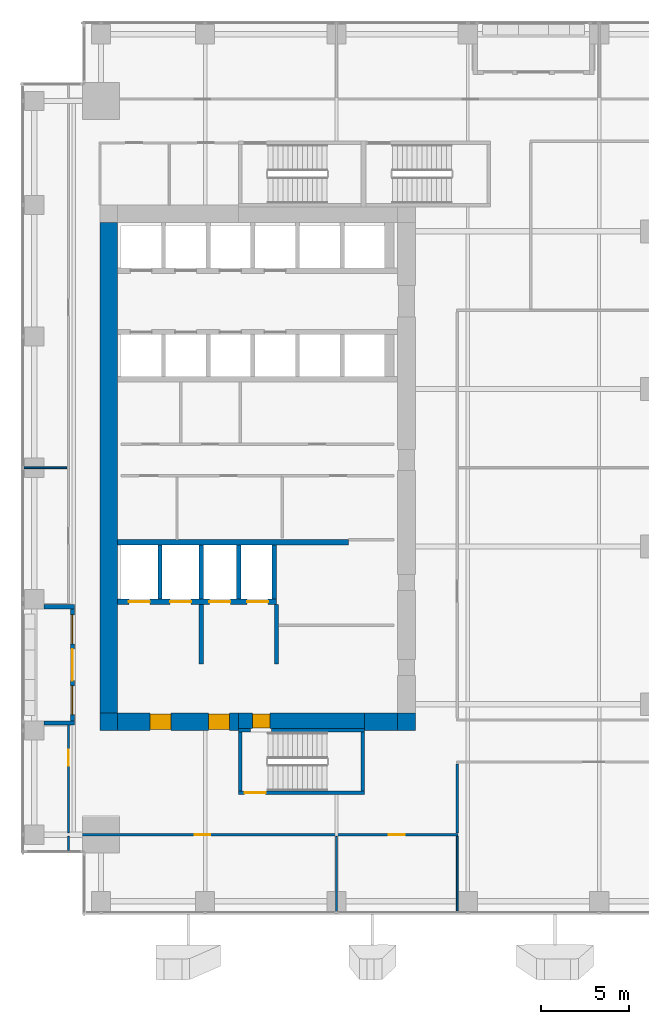
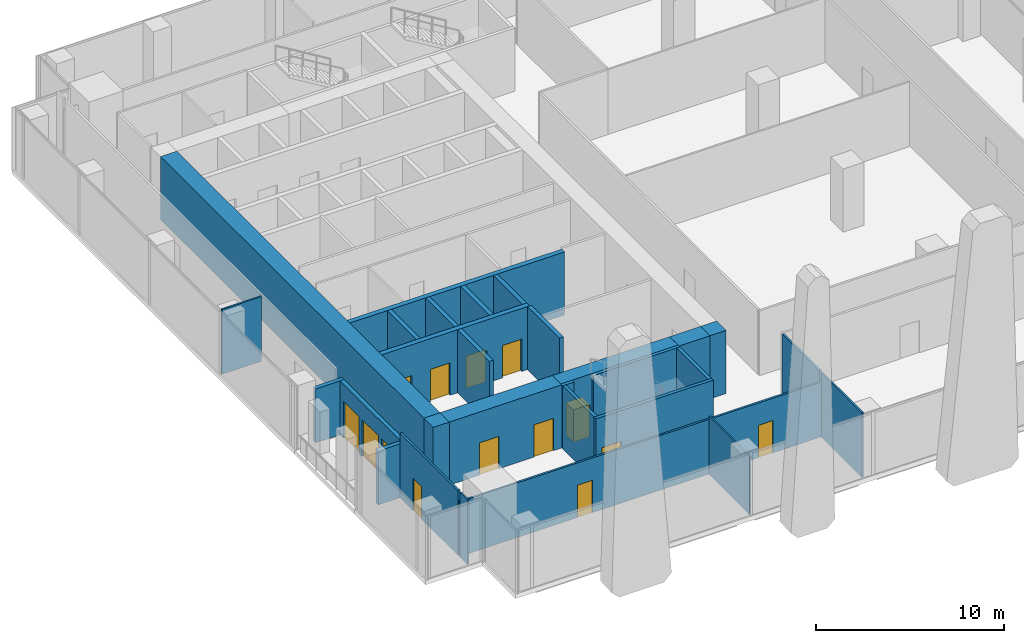
# One storey, part 28 of 35: 29 walls, 12 doors, 2 windows, 14 openings.
"""IFC4 building model written with IfcOpenShell, lengths in metres."""

import ifcopenshell
import ifcopenshell.guid

model = None  # the IFC model being written
_history = None  # IfcOwnerHistory: only IFC2X3 demands one
_inside = {}  # id of a spatial element -> (the spatial element, [elements in it])
_under = {}  # id of a project, library or spatial element -> (it, [spatial elements below it])
_declared = {}  # id of a project -> (the project, [libraries it declares])
_typed = {}  # id of a type object -> (the type object, [elements of that type])
_made_of = {}  # id of a material, layer set ... -> (it, [elements and type objects made of it])


def new_model(schema):
    """Start an empty IFC model of exactly this schema.

    Asked for "IFC4X3", IfcOpenShell would pick the latest addendum, in which some entities
    have other attributes; the version numbers below select the first issue.
    IFC2X3 requires an IfcOwnerHistory on every rooted entity: one is made here for all.
    """
    global model, _history
    if schema == "IFC4X3":
        model = ifcopenshell.file(schema_version=(4, 3, 0, 0))
    else:
        model = ifcopenshell.file(schema=schema)
    _inside.clear()
    _under.clear()
    _declared.clear()
    _typed.clear()
    _made_of.clear()
    _history = None
    if model.schema == "IFC2X3":
        org = make("IfcOrganization", Name="unknown")
        user = make(
            "IfcPersonAndOrganization",
            ThePerson=make("IfcPerson", FamilyName="unknown"),
            TheOrganization=org,
        )
        app = make(
            "IfcApplication",
            ApplicationDeveloper=org,
            Version="unknown",
            ApplicationFullName="unknown",
            ApplicationIdentifier="unknown",
        )
        _history = make(
            "IfcOwnerHistory",
            OwningUser=user,
            OwningApplication=app,
            ChangeAction="ADDED",
            CreationDate=0,
        )
    return model


def make(cls, **values):
    """One entity of the class cls with the attributes given. An attribute that is None is left unset."""
    return model.create_entity(
        cls, **{name: value for name, value in values.items() if value is not None}
    )


def rooted(cls, **values):
    """An entity with a GlobalId (a new one), such as an element, a storey or a relation."""
    return make(cls, GlobalId=ifcopenshell.guid.new(), OwnerHistory=_history, **values)


def si_unit(unit_type, name, prefix=None):
    """IfcSIUnit, for example si_unit("LENGTHUNIT", "METRE", prefix="MILLI")."""
    return make("IfcSIUnit", UnitType=unit_type, Prefix=prefix, Name=name)


def assignment(units):
    """IfcUnitAssignment: the units of a project."""
    return None if units is None else make("IfcUnitAssignment", Units=units)


def point(xyz):
    """IfcCartesianPoint."""
    return None if xyz is None else make("IfcCartesianPoint", Coordinates=xyz)


def direction(xyz):
    """IfcDirection."""
    return None if xyz is None else make("IfcDirection", DirectionRatios=xyz)


def frame(location, z_axis=None, x_axis=None):
    """IfcAxis2Placement3D, a coordinate frame: its origin and axes. An axis left out is left unset."""
    return make(
        "IfcAxis2Placement3D",
        Location=point(location),
        Axis=direction(z_axis),
        RefDirection=direction(x_axis),
    )


def frame_2d(location, x_axis=None):
    """IfcAxis2Placement2D, a coordinate frame in the plane: its origin and x axis."""
    return make(
        "IfcAxis2Placement2D", Location=point(location), RefDirection=direction(x_axis)
    )


def origin():
    """The frame at (0, 0, 0) with its axes left unset."""
    return frame((0.0, 0.0, 0.0))


def place(relative_to, where):
    """IfcLocalPlacement: puts the frame where relative to a parent placement (None: the world)."""
    return make(
        "IfcLocalPlacement", PlacementRelTo=relative_to, RelativePlacement=where
    )


def context(
    kind, dimensions, precision=None, world=None, true_north=None, identifier=None
):
    """IfcGeometricRepresentationContext, for example the 3D "Model" context."""
    return make(
        "IfcGeometricRepresentationContext",
        ContextIdentifier=identifier,
        ContextType=kind,
        CoordinateSpaceDimension=dimensions,
        Precision=precision,
        WorldCoordinateSystem=world,
        TrueNorth=true_north,
    )


def subcontext(parent, identifier, kind, view, scale=None):
    """IfcGeometricRepresentationSubContext, for example "Body" below "Model"."""
    return make(
        "IfcGeometricRepresentationSubContext",
        ContextIdentifier=identifier,
        ContextType=kind,
        ParentContext=parent,
        TargetScale=scale,
        TargetView=view,
    )


def project(units=None, contexts=None):
    """IfcProject with its units and contexts."""
    return rooted(
        "IfcProject",
        Name="project",
        RepresentationContexts=contexts,
        UnitsInContext=assignment(units),
    )


def spatial(cls, under=None, at=None, **own):
    """A site, building, storey or space (cls), placed at a placement, below another one or the project."""
    s = rooted(cls, ObjectPlacement=at, **own)
    if under is not None:
        _under.setdefault(under.id(), (under, []))[1].append(s)
    return s


def profile(cls, at=None, kind="AREA", **sizes):
    """A parametric profile (cls). Its sizes go by their IFC names, for example OverallWidth=200.0."""
    return make(cls, ProfileType=kind, Position=at, **sizes)


def rectangle(**sizes):
    """IfcRectangleProfileDef."""
    return profile("IfcRectangleProfileDef", **sizes)


def extrude(swept, where, along, depth):
    """IfcExtrudedAreaSolid: the profile swept, set in the frame where, extruded along a direction by depth."""
    return make(
        "IfcExtrudedAreaSolid",
        SweptArea=swept,
        Position=where,
        ExtrudedDirection=direction(along),
        Depth=depth,
    )


def shape(context_of_items, identifier, shape_type, items):
    """IfcShapeRepresentation: the items that make up one representation, for example the "Body"."""
    return make(
        "IfcShapeRepresentation",
        ContextOfItems=context_of_items,
        RepresentationIdentifier=identifier,
        RepresentationType=shape_type,
        Items=items,
    )


def source(mapping_origin, context_of_items, identifier, shape_type, items):
    """IfcRepresentationMap: a shape defined once, which mapped items show again and again."""
    return make(
        "IfcRepresentationMap",
        MappingOrigin=mapping_origin,
        MappedRepresentation=shape(context_of_items, identifier, shape_type, items),
    )


def transform(
    local_origin,
    x_axis=None,
    y_axis=None,
    z_axis=None,
    scale=None,
    scale2=None,
    scale3=None,
    uniform=True,
):
    """IfcCartesianTransformationOperator3D, or its non-uniform kind. x_axis, y_axis, z_axis: its Axis1, 2, 3."""
    if uniform:
        return make(
            "IfcCartesianTransformationOperator3D",
            Axis1=direction(x_axis),
            Axis2=direction(y_axis),
            LocalOrigin=point(local_origin),
            Scale=scale,
            Axis3=direction(z_axis),
        )
    return make(
        "IfcCartesianTransformationOperator3DnonUniform",
        Axis1=direction(x_axis),
        Axis2=direction(y_axis),
        LocalOrigin=point(local_origin),
        Scale=scale,
        Axis3=direction(z_axis),
        Scale2=scale2,
        Scale3=scale3,
    )


def mapped(mapping_source, mapping_target):
    """IfcMappedItem: shows the shape of a source again, moved by a transform."""
    return make(
        "IfcMappedItem", MappingSource=mapping_source, MappingTarget=mapping_target
    )


def material(Name=None, Category=None):
    """IfcMaterial."""
    return make("IfcMaterial", Name=Name, Category=Category)


def layer(
    of_material, thickness, ventilated=None, Name=None, Category=None, Priority=None
):
    """IfcMaterialLayer: one layer of a wall or slab, of a material (None: an air gap)."""
    return make(
        "IfcMaterialLayer",
        Material=of_material,
        LayerThickness=thickness,
        IsVentilated=ventilated,
        Name=Name,
        Category=Category,
        Priority=Priority,
    )


def layer_set(layers, Name=None):
    """IfcMaterialLayerSet."""
    return make("IfcMaterialLayerSet", MaterialLayers=layers, LayerSetName=Name)


def made_of(thing, what):
    """Note that an element or type object is made of a material, layer set ...; save() writes the relation."""
    if what is not None:
        _made_of.setdefault(what.id(), (what, []))[1].append(thing)
    return thing


def type_object(cls, material=None, **own):
    """A type object (cls), such as IfcWallType, which elements share."""
    return made_of(rooted(cls, **own), material)


def element(
    cls,
    number,
    at=None,
    inside=None,
    cuts=None,
    type_object=None,
    material=None,
    context=None,
    identifier="Body",
    shape_type=None,
    held_by="IfcProductDefinitionShape",
    body=None,
    shapes=None,
    **own,
):
    """One element of the class cls, such as IfcWall. Its Tag is "e" and its number.

    at: its placement. inside: the storey or other place that contains it. cuts: it is an
    opening in that element (IfcRelVoidsElement). A single representation is given by context,
    identifier, shape_type and body (its items); several are given by shapes. held_by: the class
    of the entity that holds the representations. save() writes the other relations.
    """
    e = rooted(cls, Tag="e%d" % number, ObjectPlacement=at, **own)
    if body is not None:
        shapes = [shape(context, identifier, shape_type, body)]
    if shapes is not None:
        e.Representation = make(held_by, Representations=shapes)
    if inside is not None:
        _inside.setdefault(inside.id(), (inside, []))[1].append(e)
    if cuts is not None:
        rooted(
            "IfcRelVoidsElement", RelatingBuildingElement=cuts, RelatedOpeningElement=e
        )
    if type_object is not None:
        _typed.setdefault(type_object.id(), (type_object, []))[1].append(e)
    return made_of(e, material)


def fill(opening, filler):
    """IfcRelFillsElement: the door or window that sits in an opening."""
    return rooted(
        "IfcRelFillsElement",
        RelatingOpeningElement=opening,
        RelatedBuildingElement=filler,
    )


def aggregate(whole, parts):
    """IfcRelAggregates: a whole, such as a stair, and the parts it consists of."""
    return rooted("IfcRelAggregates", RelatingObject=whole, RelatedObjects=parts)


def save(model, path):
    """Write the relations noted so far, then the file.

    IfcRelAggregates (storeys below a building ...), IfcRelContainedInSpatialStructure (elements
    in a storey), IfcRelDefinesByType, IfcRelAssociatesMaterial and IfcRelDeclares: one each for
    every whole, place, type object, material and project.
    """
    for whole, parts in _under.values():
        aggregate(whole, parts)
    for where, things in _inside.values():
        rooted(
            "IfcRelContainedInSpatialStructure",
            RelatedElements=things,
            RelatingStructure=where,
        )
    for kind, things in _typed.values():
        rooted("IfcRelDefinesByType", RelatedObjects=things, RelatingType=kind)
    for what, things in _made_of.values():
        rooted("IfcRelAssociatesMaterial", RelatedObjects=things, RelatingMaterial=what)
    for by, libraries in _declared.values():
        rooted("IfcRelDeclares", RelatingContext=by, RelatedDefinitions=libraries)
    model.write(path)


model = new_model("IFC4")

# Units and contexts
model_context = context("Model", 3, precision=1e-05, world=origin(), true_north=direction((0.0, 1.0)))
body_context = subcontext(model_context, "Body", "Model", "MODEL_VIEW")
ifc_project = project(units=[si_unit("LENGTHUNIT", "METRE"), si_unit("AREAUNIT", "SQUARE_METRE"), si_unit("VOLUMEUNIT", "CUBIC_METRE"), si_unit("PLANEANGLEUNIT", "RADIAN"), si_unit("MASSUNIT", "GRAM", prefix="KILO")], contexts=[model_context])

# Site, building, storey
site_placement = place(None, origin())
site = spatial("IfcSite", under=ifc_project, at=site_placement, CompositionType="ELEMENT")
building_placement = place(site_placement, origin())
building = spatial("IfcBuilding", under=site, at=building_placement, Name="Khomas Fold Tower", CompositionType="ELEMENT")
storey_placement = place(building_placement, frame((0.0, 0.0, 119.10009765625)))
storey = spatial("IfcBuildingStorey", under=building, at=storey_placement, Name="L25", CompositionType="ELEMENT", Elevation=119.10009765625)

# Wall, openings, doors
ifc_material_1 = material(Name="Concrete C70/85", Category="concrete")
ifc_layer_1 = layer(ifc_material_1, 1.0)
ifc_layer_set_1 = layer_set([ifc_layer_1], Name="Concrete C70/85")
wall_type_1 = type_object("IfcWallType", Name="Core wall 1000", PredefinedType="SHEAR", material=ifc_layer_set_1)
shared_shape_1 = source(origin(), body_context, "Body", "SweptSolid", [
    extrude(rectangle(XDim=6.89990234375, YDim=1.0, at=frame_2d((3.449951171875, 0.0))), origin(), (0.0, 0.0, 1.0), 4.099853515625),
])
wall_1_placement = place(storey_placement, frame((7.0, 12.5, 0.0), z_axis=(0.0, 0.0, 1.0), x_axis=(1.0, 0.0, 0.0)))
wall_1 = element("IfcWall", 1, at=wall_1_placement, inside=storey, type_object=wall_type_1, Name="Core wall CW-L-S-L21", PredefinedType="SHEAR", context=body_context, shape_type="MappedRepresentation", body=[
    mapped(shared_shape_1, transform((0.0, 0.0, 0.0))),
])
shared_shape_2 = source(origin(), body_context, "Body", "SweptSolid", [
    extrude(rectangle(XDim=1.199951171875, YDim=2.10009765625, at=frame_2d((0.60009765625, 1.050048828125))), frame((0.0, 0.510009765625, 0.0), z_axis=(0.0, -1.0, 0.0), x_axis=(1.0, 0.0, 0.0)), (0.0, 0.0, 1.0), 1.02001953125),
])
opening_1_placement = place(wall_1_placement, frame((5.199951171875, 0.0, 0.0)))
opening_1 = element("IfcOpeningElement", 2, at=opening_1_placement, cuts=wall_1, Name="Opening 0009", PredefinedType="OPENING", context=body_context, shape_type="MappedRepresentation", body=[
    mapped(shared_shape_2, transform((0.0, 0.0, 0.0))),
])
opening_2_placement = place(wall_1_placement, frame((1.85009765625, 0.0, 0.0)))
opening_2 = element("IfcOpeningElement", 3, at=opening_2_placement, cuts=wall_1, Name="Opening 0009", PredefinedType="OPENING", context=body_context, shape_type="MappedRepresentation", body=[
    mapped(shared_shape_2, transform((0.0, 0.0, 0.0))),
])
ifc_material_2 = material(Name="Steel door leaf", Category="steel")
door_type_1 = type_object("IfcDoorType", Name="Lobby door 1200x2100 right-hand", OperationType="SINGLE_SWING_RIGHT", PredefinedType="DOOR", material=ifc_material_2)
shared_shape_3 = source(origin(), body_context, "Body", "SweptSolid", [
    extrude(rectangle(XDim=1.199951171875, YDim=2.10009765625, at=frame_2d((0.60009765625, 1.050048828125))), frame((0.0, 0.449951171875, 0.0), z_axis=(0.0, -1.0, 0.0), x_axis=(1.0, 0.0, 0.0)), (0.0, 0.0, 1.0), 0.89990234375),
])
door_1_placement = place(opening_1_placement, origin())
door_1 = element("IfcDoor", 4, at=door_1_placement, inside=storey, type_object=door_type_1, Name="Lobby door", OperationType="SINGLE_SWING_RIGHT", OverallHeight=2.10009765625, OverallWidth=1.199951171875, PredefinedType="DOOR", context=body_context, shape_type="MappedRepresentation", body=[
    mapped(shared_shape_3, transform((0.0, 0.0, 0.0))),
])
fill(opening_1, door_1)
door_2_placement = place(opening_2_placement, origin())
door_2 = element("IfcDoor", 5, at=door_2_placement, inside=storey, type_object=door_type_1, Name="Lobby door", OperationType="SINGLE_SWING_RIGHT", OverallHeight=2.10009765625, OverallWidth=1.199951171875, PredefinedType="DOOR", context=body_context, shape_type="MappedRepresentation", body=[
    mapped(shared_shape_3, transform((0.0, 0.0, 0.0))),
])
fill(opening_2, door_2)

# Walls
ifc_material_3 = material(Name="Concrete C70/85", Category="concrete")
ifc_layer_2 = layer(ifc_material_3, 1.0)
ifc_layer_set_2 = layer_set([ifc_layer_2], Name="Concrete C70/85")
wall_type_2 = type_object("IfcWallType", Name="Core corner wall 1000", PredefinedType="SHEAR", material=ifc_layer_set_2)
shared_shape_4 = source(origin(), body_context, "Body", "SweptSolid", [
    extrude(rectangle(XDim=1.0, YDim=1.0, at=frame_2d((0.5, 0.0))), origin(), (0.0, 0.0, 1.0), 4.099853515625),
])
for number, where, z_axis, x_axis, name in (
    (6, (23.0, 12.5, 0.0), (0.0, 0.0, 1.0), (1.0, 0.0, 0.0), "Core wall CW-L-SE-L21"),
    (7, (6.0, 12.5, 0.0), (0.0, 0.0, 1.0), (1.0, 0.0, 0.0), "Core wall CW-L-SW-L21"),
):
    element("IfcWall", number, at=place(storey_placement, frame(where, z_axis=z_axis, x_axis=x_axis)), inside=storey, type_object=wall_type_2, Name=name, PredefinedType="SHEAR", context=body_context, shape_type="MappedRepresentation", body=[
        mapped(shared_shape_4, transform((0.0, 0.0, 0.0))),
    ])

# Wall, opening, door
ifc_material_4 = material(Name="Concrete C70/85", Category="concrete")
ifc_layer_3 = layer(ifc_material_4, 0.89990234375)
ifc_layer_set_3 = layer_set([ifc_layer_3], Name="Concrete C70/85")
wall_type_3 = type_object("IfcWallType", Name="Core wall 900", PredefinedType="SHEAR", material=ifc_layer_set_3)
shared_shape_5 = source(origin(), body_context, "Body", "SweptSolid", [
    extrude(rectangle(XDim=7.2001953125, YDim=0.89990234375, at=frame_2d((3.60009765625, 0.0))), origin(), (0.0, 0.0, 1.0), 4.099853515625),
])
wall_2_placement = place(storey_placement, frame((13.89990234375, 12.550048828125, 0.0), z_axis=(0.0, 0.0, 1.0), x_axis=(1.0, 0.0, 0.0)))
wall_2 = element("IfcWall", 8, at=wall_2_placement, inside=storey, type_object=wall_type_3, Name="Core wall CW-L-S-L21-1", PredefinedType="SHEAR", context=body_context, shape_type="MappedRepresentation", body=[
    mapped(shared_shape_5, transform((0.0, 0.0, 0.0))),
])
shared_shape_6 = source(origin(), body_context, "Body", "SweptSolid", [
    extrude(rectangle(XDim=1.0, YDim=2.10009765625, at=frame_2d((0.5, 1.050048828125))), frame((0.0, 0.4599609375, 0.0), z_axis=(0.0, -1.0, 0.0), x_axis=(1.0, 0.0, 0.0)), (0.0, 0.0, 1.0), 0.919921875),
])
opening_3_placement = place(wall_2_placement, frame((0.800048828125, 0.0, 0.0)))
opening_3 = element("IfcOpeningElement", 9, at=opening_3_placement, cuts=wall_2, Name="Opening 0010", PredefinedType="OPENING", context=body_context, shape_type="MappedRepresentation", body=[
    mapped(shared_shape_6, transform((0.0, 0.0, 0.0))),
])
ifc_material_5 = material(Name="Steel door leaf", Category="steel")
door_type_2 = type_object("IfcDoorType", Name="Stair door 1000x2100 right-hand", OperationType="SINGLE_SWING_RIGHT", PredefinedType="DOOR", material=ifc_material_5)
shared_shape_7 = source(origin(), body_context, "Body", "SweptSolid", [
    extrude(rectangle(XDim=1.0, YDim=2.10009765625, at=frame_2d((0.5, 1.050048828125))), frame((0.0, 0.39990234375, 0.0), z_axis=(0.0, -1.0, 0.0), x_axis=(1.0, 0.0, 0.0)), (0.0, 0.0, 1.0), 0.7998046875),
])
door_3_placement = place(opening_3_placement, origin())
door_3 = element("IfcDoor", 10, at=door_3_placement, inside=storey, type_object=door_type_2, Name="Stair door", OperationType="SINGLE_SWING_RIGHT", OverallHeight=2.10009765625, OverallWidth=1.0, PredefinedType="DOOR", context=body_context, shape_type="MappedRepresentation", body=[
    mapped(shared_shape_7, transform((0.0, 0.0, 0.0))),
])
fill(opening_3, door_3)

# Walls
shared_shape_8 = source(origin(), body_context, "Body", "SweptSolid", [
    extrude(rectangle(XDim=1.89990234375, YDim=1.0, at=frame_2d((0.949951171875, 0.0))), origin(), (0.0, 0.0, 1.0), 4.099853515625),
])
wall_3_placement = place(storey_placement, frame((21.10009765625, 12.5, 0.0), z_axis=(0.0, 0.0, 1.0), x_axis=(1.0, 0.0, 0.0)))
element("IfcWall", 11, at=wall_3_placement, inside=storey, type_object=wall_type_1, Name="Core wall CW-L-S-L21-2", PredefinedType="SHEAR", context=body_context, shape_type="MappedRepresentation", body=[
    mapped(shared_shape_8, transform((0.0, 0.0, 0.0))),
])
shared_shape_9 = source(origin(), body_context, "Body", "SweptSolid", [
    extrude(rectangle(XDim=28.0, YDim=1.0, at=frame_2d((14.0, 0.0))), origin(), (0.0, 0.0, 1.0), 4.099853515625),
])
wall_4_placement = place(storey_placement, frame((6.5, 13.0, 0.0), z_axis=(0.0, 0.0, 1.0), x_axis=(0.0, 1.0, 0.0)))
element("IfcWall", 12, at=wall_4_placement, inside=storey, type_object=wall_type_1, Name="Core wall CW-L-W-L21", PredefinedType="SHEAR", context=body_context, shape_type="MappedRepresentation", body=[
    mapped(shared_shape_9, transform((0.0, 0.0, 0.0))),
])
ifc_material_6 = material(Name="Concrete C50/60", Category="concrete")
ifc_layer_4 = layer(ifc_material_6, 0.199951171875)
ifc_layer_set_4 = layer_set([ifc_layer_4], Name="Concrete C50/60")
wall_type_4 = type_object("IfcWallType", Name="Stair wall 200", PredefinedType="SHEAR", material=ifc_layer_set_4)
shared_shape_10 = source(origin(), body_context, "Body", "SweptSolid", [
    extrude(rectangle(XDim=0.7001953125, YDim=0.199951171875, at=frame_2d((0.35009765625, 0.0))), origin(), (0.0, 0.0, 1.0), 4.099853515625),
])
wall_5_placement = place(storey_placement, frame((13.89990234375, 12.0, 0.0), z_axis=(0.0, 0.0, 1.0), x_axis=(1.0, 0.0, 0.0)))
element("IfcWall", 13, at=wall_5_placement, inside=storey, type_object=wall_type_4, Name="Stair wall SW-ST2-N", PredefinedType="SHEAR", context=body_context, shape_type="MappedRepresentation", body=[
    mapped(shared_shape_10, transform((0.0, 0.0, 0.0))),
])
shared_shape_11 = source(origin(), body_context, "Body", "SweptSolid", [
    extrude(rectangle(XDim=5.300048828125, YDim=0.199951171875, at=frame_2d((2.64990234375, 0.0))), origin(), (0.0, 0.0, 1.0), 4.099853515625),
])
wall_6_placement = place(storey_placement, frame((15.800048828125, 12.0, 0.0), z_axis=(0.0, 0.0, 1.0), x_axis=(1.0, 0.0, 0.0)))
element("IfcWall", 14, at=wall_6_placement, inside=storey, type_object=wall_type_4, Name="Stair wall SW-ST2-NB", PredefinedType="SHEAR", context=body_context, shape_type="MappedRepresentation", body=[
    mapped(shared_shape_11, transform((0.0, 0.0, 0.0))),
])

# Wall, opening, door
shared_shape_12 = source(origin(), body_context, "Body", "SweptSolid", [
    extrude(rectangle(XDim=7.2001953125, YDim=0.199951171875, at=frame_2d((3.60009765625, 0.0))), origin(), (0.0, 0.0, 1.0), 4.099853515625),
])
wall_7_placement = place(storey_placement, frame((13.89990234375, 8.449951171875, 0.0), z_axis=(0.0, 0.0, 1.0), x_axis=(1.0, 0.0, 0.0)))
wall_7 = element("IfcWall", 15, at=wall_7_placement, inside=storey, type_object=wall_type_4, Name="Stair wall SW-ST2-S", PredefinedType="SHEAR", context=body_context, shape_type="MappedRepresentation", body=[
    mapped(shared_shape_12, transform((0.0, 0.0, 0.0))),
])
shared_shape_13 = source(origin(), body_context, "Body", "SweptSolid", [
    extrude(rectangle(XDim=1.199951171875, YDim=2.10009765625, at=frame_2d((0.60009765625, 1.050048828125))), frame((0.0, 0.10986328125, 0.0), z_axis=(0.0, -1.0, 0.0), x_axis=(1.0, 0.0, 0.0)), (0.0, 0.0, 1.0), 0.219970703125),
])
opening_4_placement = place(wall_7_placement, frame((0.35009765625, 0.0, 0.0)))
opening_4 = element("IfcOpeningElement", 16, at=opening_4_placement, cuts=wall_7, Name="Opening SD-ST2", PredefinedType="OPENING", context=body_context, shape_type="MappedRepresentation", body=[
    mapped(shared_shape_13, transform((0.0, 0.0, 0.0))),
])
ifc_material_7 = material(Name="Steel door leaf", Category="steel")
door_type_3 = type_object("IfcDoorType", Name="Stair door 1200x2100 right-hand", OperationType="SINGLE_SWING_RIGHT", PredefinedType="DOOR", material=ifc_material_7)
shared_shape_14 = source(origin(), body_context, "Body", "SweptSolid", [
    extrude(rectangle(XDim=1.199951171875, YDim=2.10009765625, at=frame_2d((0.60009765625, 1.050048828125))), frame((0.0, 0.02490234375, 0.0), z_axis=(0.0, -1.0, 0.0), x_axis=(1.0, 0.0, 0.0)), (0.0, 0.0, 1.0), 0.050048828125),
])
door_4_placement = place(opening_4_placement, origin())
door_4 = element("IfcDoor", 17, at=door_4_placement, inside=storey, type_object=door_type_3, Name="Stair door", OperationType="SINGLE_SWING_RIGHT", OverallHeight=2.10009765625, OverallWidth=1.199951171875, PredefinedType="DOOR", context=body_context, shape_type="MappedRepresentation", body=[
    mapped(shared_shape_14, transform((0.0, 0.0, 0.0))),
])
fill(opening_4, door_4)

# Walls
shared_shape_15 = source(origin(), body_context, "Body", "SweptSolid", [
    extrude(rectangle(XDim=3.349853515625, YDim=0.199951171875, at=frame_2d((1.6748046875, 0.0))), origin(), (0.0, 0.0, 1.0), 4.099853515625),
])
for number, where, z_axis, x_axis, name in (
    (18, (21.0, 8.550048828125, 0.0), (0.0, 0.0, 1.0), (0.0, 1.0, 0.0), "Stair wall SW-ST2-E"),
    (19, (14.0, 8.550048828125, 0.0), (0.0, 0.0, 1.0), (0.0, 1.0, 0.0), "Stair wall SW-ST2-W"),
):
    element("IfcWall", number, at=place(storey_placement, frame(where, z_axis=z_axis, x_axis=x_axis)), inside=storey, type_object=wall_type_4, Name=name, PredefinedType="SHEAR", context=body_context, shape_type="MappedRepresentation", body=[
        mapped(shared_shape_15, transform((0.0, 0.0, 0.0))),
    ])
ifc_material_8 = material(Name="Concrete C50/60", Category="concrete")
ifc_layer_5 = layer(ifc_material_8, 0.300048828125)
ifc_layer_set_5 = layer_set([ifc_layer_5], Name="Concrete C50/60")
wall_type_5 = type_object("IfcWallType", Name="Shaft wall 300", PredefinedType="STANDARD", material=ifc_layer_set_5)
shared_shape_16 = source(origin(), body_context, "Body", "SweptSolid", [
    extrude(rectangle(XDim=13.199951171875, YDim=0.300048828125, at=frame_2d((6.60009765625, 0.0))), origin(), (0.0, 0.0, 1.0), 4.099853515625),
])
wall_8_placement = place(storey_placement, frame((7.0, 22.75, 0.0), z_axis=(0.0, 0.0, 1.0), x_axis=(1.0, 0.0, 0.0)))
element("IfcWall", 20, at=wall_8_placement, inside=storey, type_object=wall_type_5, Name="Core wall SW-FS-B", PredefinedType="STANDARD", context=body_context, shape_type="MappedRepresentation", body=[
    mapped(shared_shape_16, transform((0.0, 0.0, 0.0))),
])

# Wall, openings, doors
shared_shape_17 = source(origin(), body_context, "Body", "SweptSolid", [
    extrude(rectangle(XDim=9.074951171875, YDim=0.300048828125, at=frame_2d((4.53759765625, 0.0))), origin(), (0.0, 0.0, 1.0), 4.099853515625),
])
wall_9_placement = place(storey_placement, frame((7.0, 19.35009765625, 0.0), z_axis=(0.0, 0.0, 1.0), x_axis=(1.0, 0.0, 0.0)))
wall_9 = element("IfcWall", 21, at=wall_9_placement, inside=storey, type_object=wall_type_5, Name="Core wall SW-FS-F", PredefinedType="STANDARD", context=body_context, shape_type="MappedRepresentation", body=[
    mapped(shared_shape_17, transform((0.0, 0.0, 0.0))),
])
shared_shape_18 = source(origin(), body_context, "Body", "SweptSolid", [
    extrude(rectangle(XDim=1.199951171875, YDim=2.10009765625, at=frame_2d((0.60009765625, 1.050048828125))), frame((0.0, 0.159912109375, 0.0), z_axis=(0.0, -1.0, 0.0), x_axis=(1.0, 0.0, 0.0)), (0.0, 0.0, 1.0), 0.320068359375),
])
opening_5_placement = place(wall_9_placement, frame((0.64990234375, 0.0, 0.0)))
opening_5 = element("IfcOpeningElement", 22, at=opening_5_placement, cuts=wall_9, Name="Opening LD-SV1", PredefinedType="OPENING", context=body_context, shape_type="MappedRepresentation", body=[
    mapped(shared_shape_18, transform((0.0, 0.0, 0.0))),
])
opening_6_placement = place(wall_9_placement, frame((3.0, 0.0, 0.0)))
opening_6 = element("IfcOpeningElement", 23, at=opening_6_placement, cuts=wall_9, Name="Opening LD-SV2", PredefinedType="OPENING", context=body_context, shape_type="MappedRepresentation", body=[
    mapped(shared_shape_18, transform((0.0, 0.0, 0.0))),
])
opening_7_placement = place(wall_9_placement, frame((5.25, 0.0, 0.0)))
opening_7 = element("IfcOpeningElement", 24, at=opening_7_placement, cuts=wall_9, Name="Opening LD-FF1", PredefinedType="OPENING", context=body_context, shape_type="MappedRepresentation", body=[
    mapped(shared_shape_18, transform((0.0, 0.0, 0.0))),
])
opening_8_placement = place(wall_9_placement, frame((7.39990234375, 0.0, 0.0)))
opening_8 = element("IfcOpeningElement", 25, at=opening_8_placement, cuts=wall_9, Name="Opening LD-FF2", PredefinedType="OPENING", context=body_context, shape_type="MappedRepresentation", body=[
    mapped(shared_shape_18, transform((0.0, 0.0, 0.0))),
])
ifc_material_9 = material(Name="Steel door leaf", Category="steel")
door_type_4 = type_object("IfcDoorType", Name="Landing door 1200x2100", OperationType="DOUBLE_DOOR_SLIDING", PredefinedType="DOOR", material=ifc_material_9)
door_5_placement = place(opening_5_placement, origin())
door_5 = element("IfcDoor", 26, at=door_5_placement, inside=storey, type_object=door_type_4, Name="Lift landing door", OperationType="DOUBLE_DOOR_SLIDING", OverallHeight=2.10009765625, OverallWidth=1.199951171875, PredefinedType="DOOR", context=body_context, shape_type="MappedRepresentation", body=[
    mapped(shared_shape_14, transform((0.0, 0.0, 0.0))),
])
fill(opening_5, door_5)
door_6_placement = place(opening_6_placement, origin())
door_6 = element("IfcDoor", 27, at=door_6_placement, inside=storey, type_object=door_type_4, Name="Lift landing door", OperationType="DOUBLE_DOOR_SLIDING", OverallHeight=2.10009765625, OverallWidth=1.199951171875, PredefinedType="DOOR", context=body_context, shape_type="MappedRepresentation", body=[
    mapped(shared_shape_14, transform((0.0, 0.0, 0.0))),
])
fill(opening_6, door_6)
door_7_placement = place(opening_7_placement, origin())
door_7 = element("IfcDoor", 28, at=door_7_placement, inside=storey, type_object=door_type_4, Name="Lift landing door", OperationType="DOUBLE_DOOR_SLIDING", OverallHeight=2.10009765625, OverallWidth=1.199951171875, PredefinedType="DOOR", context=body_context, shape_type="MappedRepresentation", body=[
    mapped(shared_shape_14, transform((0.0, 0.0, 0.0))),
])
fill(opening_7, door_7)
door_8_placement = place(opening_8_placement, origin())
door_8 = element("IfcDoor", 29, at=door_8_placement, inside=storey, type_object=door_type_4, Name="Lift landing door", OperationType="DOUBLE_DOOR_SLIDING", OverallHeight=2.10009765625, OverallWidth=1.199951171875, PredefinedType="DOOR", context=body_context, shape_type="MappedRepresentation", body=[
    mapped(shared_shape_14, transform((0.0, 0.0, 0.0))),
])
fill(opening_8, door_8)

# Walls
ifc_material_10 = material(Name="Concrete C50/60", Category="concrete")
ifc_layer_6 = layer(ifc_material_10, 0.25)
ifc_layer_set_6 = layer_set([ifc_layer_6], Name="Concrete C50/60")
wall_type_6 = type_object("IfcWallType", Name="Shaft wall 250", PredefinedType="STANDARD", material=ifc_layer_set_6)
shared_shape_19 = source(origin(), body_context, "Body", "SweptSolid", [
    extrude(rectangle(XDim=3.10009765625, YDim=0.25, at=frame_2d((1.550048828125, 0.0))), origin(), (0.0, 0.0, 1.0), 4.099853515625),
])
for number, where, z_axis, x_axis, name in (
    (30, (9.425048828125, 19.5, 0.0), (0.0, 0.0, 1.0), (0.0, 1.0, 0.0), "Core wall SW-FS-P1"),
    (31, (11.77490234375, 19.5, 0.0), (0.0, 0.0, 1.0), (0.0, 1.0, 0.0), "Core wall SW-FS-P2"),
    (32, (13.925048828125, 19.5, 0.0), (0.0, 0.0, 1.0), (0.0, 1.0, 0.0), "Core wall SW-FS-P3"),
    (33, (15.949951171875, 19.5, 0.0), (0.0, 0.0, 1.0), (0.0, 1.0, 0.0), "Core wall SW-FS-PE"),
):
    element("IfcWall", number, at=place(storey_placement, frame(where, z_axis=z_axis, x_axis=x_axis)), inside=storey, type_object=wall_type_6, Name=name, PredefinedType="STANDARD", context=body_context, shape_type="MappedRepresentation", body=[
        mapped(shared_shape_19, transform((0.0, 0.0, 0.0))),
    ])
ifc_material_11 = material(Name="Concrete C50/60", Category="concrete")
ifc_layer_7 = layer(ifc_material_11, 0.25)
ifc_layer_set_7 = layer_set([ifc_layer_7], Name="Concrete C50/60")
wall_type_7 = type_object("IfcWallType", Name="Lobby wall 250", PredefinedType="STANDARD", material=ifc_layer_set_7)
shared_shape_20 = source(origin(), body_context, "Body", "SweptSolid", [
    extrude(rectangle(XDim=3.39990234375, YDim=0.25, at=frame_2d((1.699951171875, 0.0))), origin(), (0.0, 0.0, 1.0), 4.099853515625),
])
for number, where, z_axis, x_axis, name in (
    (34, (16.074951171875, 15.800048828125, 0.0), (0.0, 0.0, 1.0), (0.0, 1.0, 0.0), "Core wall SW-FS-LOB-E"),
    (35, (11.77490234375, 15.800048828125, 0.0), (0.0, 0.0, 1.0), (0.0, 1.0, 0.0), "Core wall SW-FS-SEP"),
):
    element("IfcWall", number, at=place(storey_placement, frame(where, z_axis=z_axis, x_axis=x_axis)), inside=storey, type_object=wall_type_7, Name=name, PredefinedType="STANDARD", context=body_context, shape_type="MappedRepresentation", body=[
        mapped(shared_shape_20, transform((0.0, 0.0, 0.0))),
    ])

# Wall, openings, door, windows
ifc_material_12 = material(Name="Natural stone", Category="masonry")
ifc_layer_8 = layer(ifc_material_12, 0.0400390625)
ifc_material_13 = material(Name="Mineral wool insulation", Category="insulation")
ifc_layer_9 = layer(ifc_material_13, 0.10009765625)
ifc_material_14 = material(Name="Masonry", Category="masonry")
ifc_layer_10 = layer(ifc_material_14, 0.110107421875)
ifc_layer_set_8 = layer_set([ifc_layer_8, ifc_layer_9, ifc_layer_10], Name="Stone-faced insulated masonry")
wall_type_8 = type_object("IfcWallType", Name="BL-Balcony wall", PredefinedType="SOLIDWALL", material=ifc_layer_set_8)
shared_shape_21 = source(origin(), body_context, "Body", "SweptSolid", [
    extrude(rectangle(XDim=6.39990234375, YDim=0.25, at=frame_2d((3.199951171875, 0.0))), origin(), (0.0, 0.0, 1.0), 3.5),
])
wall_10_placement = place(storey_placement, frame((4.425048828125, 12.550048828125, 0.0), z_axis=(0.0, 0.0, 1.0), x_axis=(0.0, 1.0, 0.0)))
wall_10 = element("IfcWall", 36, at=wall_10_placement, inside=storey, type_object=wall_type_8, Name="Balcony wall BAL-L25-W1", PredefinedType="SOLIDWALL", context=body_context, shape_type="MappedRepresentation", body=[
    mapped(shared_shape_21, transform((0.0, 0.0, 0.0))),
])
shared_shape_22 = source(origin(), body_context, "Body", "SweptSolid", [
    extrude(rectangle(XDim=1.64990234375, YDim=2.39990234375, at=frame_2d((0.824951171875, 1.199951171875))), frame((0.0, 0.135009765625, 0.0), z_axis=(0.0, -1.0, 0.0), x_axis=(1.0, 0.0, 0.0)), (0.0, 0.0, 1.0), 0.27001953125),
])
opening_9_placement = place(wall_10_placement, frame((0.35009765625, 0.0, 0.0)))
opening_9 = element("IfcOpeningElement", 37, at=opening_9_placement, cuts=wall_10, Name="Opening BL-W2", PredefinedType="OPENING", context=body_context, shape_type="MappedRepresentation", body=[
    mapped(shared_shape_22, transform((0.0, 0.0, 0.0))),
])
opening_10_placement = place(wall_10_placement, frame((4.39990234375, 0.0, 0.0)))
opening_10 = element("IfcOpeningElement", 38, at=opening_10_placement, cuts=wall_10, Name="Opening BL-W2", PredefinedType="OPENING", context=body_context, shape_type="MappedRepresentation", body=[
    mapped(shared_shape_22, transform((0.0, 0.0, 0.0))),
])
shared_shape_23 = source(origin(), body_context, "Body", "SweptSolid", [
    extrude(rectangle(XDim=1.800048828125, YDim=2.39990234375, at=frame_2d((0.89990234375, 1.199951171875))), frame((0.0, 0.135009765625, 0.0), z_axis=(0.0, -1.0, 0.0), x_axis=(1.0, 0.0, 0.0)), (0.0, 0.0, 1.0), 0.27001953125),
])
opening_11_placement = place(wall_10_placement, frame((2.300048828125, 0.0, 0.0)))
opening_11 = element("IfcOpeningElement", 39, at=opening_11_placement, cuts=wall_10, Name="Opening BD252", PredefinedType="OPENING", context=body_context, shape_type="MappedRepresentation", body=[
    mapped(shared_shape_23, transform((0.0, 0.0, 0.0))),
])
ifc_material_15 = material(Name="Aluminium framed double glazing", Category="aluminium")
door_type_5 = type_object("IfcDoorType", Name="BL-Glazed balcony door 1800 x 2400", OperationType="DOUBLE_DOOR_DOUBLE_SWING", PredefinedType="DOOR", material=ifc_material_15)
shared_shape_24 = source(origin(), body_context, "Body", "SweptSolid", [
    extrude(rectangle(XDim=1.800048828125, YDim=2.39990234375, at=frame_2d((0.89990234375, 1.199951171875))), frame((0.0, 0.02490234375, 0.0), z_axis=(0.0, -1.0, 0.0), x_axis=(1.0, 0.0, 0.0)), (0.0, 0.0, 1.0), 0.050048828125),
])
door_9_placement = place(opening_11_placement, origin())
door_9 = element("IfcDoor", 40, at=door_9_placement, inside=storey, type_object=door_type_5, Name="Balcony door BD252", OperationType="DOUBLE_DOOR_DOUBLE_SWING", OverallHeight=2.39990234375, OverallWidth=1.800048828125, PredefinedType="DOOR", context=body_context, shape_type="MappedRepresentation", body=[
    mapped(shared_shape_24, transform((0.0, 0.0, 0.0))),
])
fill(opening_11, door_9)
ifc_material_16 = material(Name="Aluminium framed double glazing", Category="aluminium")
window_type = type_object("IfcWindowType", Name="BL-Fixed glazing 1650 x 2400", PartitioningType="SINGLE_PANEL", PredefinedType="WINDOW", material=ifc_material_16)
shared_shape_25 = source(origin(), body_context, "Body", "SweptSolid", [
    extrude(rectangle(XDim=1.64990234375, YDim=2.39990234375, at=frame_2d((0.824951171875, 1.199951171875))), frame((0.0, 0.030029296875, 0.0), z_axis=(0.0, -1.0, 0.0), x_axis=(1.0, 0.0, 0.0)), (0.0, 0.0, 1.0), 0.06005859375),
])
window_1_placement = place(opening_9_placement, origin())
window_1 = element("IfcWindow", 41, at=window_1_placement, inside=storey, type_object=window_type, Name="Balcony glazing BAL-L25-W1-1", OverallHeight=2.39990234375, OverallWidth=1.64990234375, PartitioningType="SINGLE_PANEL", PredefinedType="WINDOW", context=body_context, shape_type="MappedRepresentation", body=[
    mapped(shared_shape_25, transform((0.0, 0.0, 0.0))),
])
fill(opening_9, window_1)
window_2_placement = place(opening_10_placement, origin())
window_2 = element("IfcWindow", 42, at=window_2_placement, inside=storey, type_object=window_type, Name="Balcony glazing BAL-L25-W1-2", OverallHeight=2.39990234375, OverallWidth=1.64990234375, PartitioningType="SINGLE_PANEL", PredefinedType="WINDOW", context=body_context, shape_type="MappedRepresentation", body=[
    mapped(shared_shape_25, transform((0.0, 0.0, 0.0))),
])
fill(opening_10, window_2)

# Walls
shared_shape_26 = source(origin(), body_context, "Body", "SweptSolid", [
    extrude(rectangle(XDim=1.75, YDim=0.25, at=frame_2d((0.875, 0.0))), origin(), (0.0, 0.0, 1.0), 3.5),
])
for number, where, z_axis, x_axis, name in (
    (43, (2.800048828125, 12.425048828125, 0.0), (0.0, 0.0, 1.0), (1.0, 0.0, 0.0), "Balcony return wall BAL-L25-W1-lo"),
    (44, (2.800048828125, 19.074951171875, 0.0), (0.0, 0.0, 1.0), (1.0, 0.0, 0.0), "Balcony return wall BAL-L25-W1-hi"),
):
    element("IfcWall", number, at=place(storey_placement, frame(where, z_axis=z_axis, x_axis=x_axis)), inside=storey, type_object=wall_type_8, Name=name, PredefinedType="SOLIDWALL", context=body_context, shape_type="MappedRepresentation", body=[
        mapped(shared_shape_26, transform((0.0, 0.0, 0.0))),
    ])
ifc_material_17 = material(Name="Plasterboard partition")
ifc_layer_11 = layer(ifc_material_17, 0.10009765625)
ifc_layer_set_9 = layer_set([ifc_layer_11], Name="Plasterboard partition")
wall_type_9 = type_object("IfcWallType", Name="Partition PW1 100", PredefinedType="PARTITIONING", material=ifc_layer_set_9)
shared_shape_27 = source(origin(), body_context, "Body", "SweptSolid", [
    extrude(rectangle(XDim=4.300048828125, YDim=0.10009765625, at=frame_2d((2.14990234375, 0.0))), origin(), (0.0, 0.0, 1.0), 3.77001953125),
])
wall_11_placement = place(storey_placement, frame((19.5, 1.64990234375, 0.0), z_axis=(0.0, 0.0, 1.0), x_axis=(0.0, 1.0, 0.0)))
element("IfcWall", 45, at=wall_11_placement, inside=storey, type_object=wall_type_9, Name="Partition", PredefinedType="PARTITIONING", context=body_context, shape_type="MappedRepresentation", body=[
    mapped(shared_shape_27, transform((0.0, 0.0, 0.0))),
])
shared_shape_28 = source(origin(), body_context, "Body", "SweptSolid", [
    extrude(rectangle(XDim=4.300048828125, YDim=0.10009765625, at=frame_2d((2.14990234375, 0.0))), origin(), (0.0, 0.0, 1.0), 4.199951171875),
])
wall_12_placement = place(storey_placement, frame((26.39990234375, 1.64990234375, 0.0), z_axis=(0.0, 0.0, 1.0), x_axis=(0.0, 1.0, 0.0)))
element("IfcWall", 46, at=wall_12_placement, inside=storey, type_object=wall_type_9, Name="Partition", PredefinedType="PARTITIONING", context=body_context, shape_type="MappedRepresentation", body=[
    mapped(shared_shape_28, transform((0.0, 0.0, 0.0))),
])
shared_shape_29 = source(origin(), body_context, "Body", "SweptSolid", [
    extrude(rectangle(XDim=0.800048828125, YDim=0.10009765625, at=frame_2d((0.39990234375, 0.0))), origin(), (0.0, 0.0, 1.0), 4.199951171875),
])
wall_13_placement = place(storey_placement, frame((4.199951171875, 5.14990234375, 0.0), z_axis=(0.0, 0.0, 1.0), x_axis=(0.0, 1.0, 0.0)))
element("IfcWall", 47, at=wall_13_placement, inside=storey, type_object=wall_type_9, Name="Partition", PredefinedType="PARTITIONING", context=body_context, shape_type="MappedRepresentation", body=[
    mapped(shared_shape_29, transform((0.0, 0.0, 0.0))),
])
ifc_material_18 = material(Name="Plasterboard partition")
ifc_layer_12 = layer(ifc_material_18, 0.125)
ifc_layer_set_10 = layer_set([ifc_layer_12], Name="Plasterboard partition")
wall_type_10 = type_object("IfcWallType", Name="Partition PW2 125", PredefinedType="PARTITIONING", material=ifc_layer_set_10)
shared_shape_30 = source(origin(), body_context, "Body", "SweptSolid", [
    extrude(rectangle(XDim=3.9501953125, YDim=0.125, at=frame_2d((1.97509765625, 0.0))), origin(), (0.0, 0.0, 1.0), 4.199951171875),
])
wall_14_placement = place(storey_placement, frame((26.39990234375, 6.14990234375, 0.0), z_axis=(0.0, 0.0, 1.0), x_axis=(0.0, 1.0, 0.0)))
element("IfcWall", 48, at=wall_14_placement, inside=storey, type_object=wall_type_10, Name="Partition", PredefinedType="PARTITIONING", context=body_context, shape_type="MappedRepresentation", body=[
    mapped(shared_shape_30, transform((0.0, 0.0, 0.0))),
])
shared_shape_31 = source(origin(), body_context, "Body", "SweptSolid", [
    extrude(rectangle(XDim=2.4501953125, YDim=0.10009765625, at=frame_2d((1.22509765625, 0.0))), origin(), (0.0, 0.0, 1.0), 4.199951171875),
])
wall_15_placement = place(storey_placement, frame((1.64990234375, 27.0, 0.0), z_axis=(0.0, 0.0, 1.0), x_axis=(1.0, 0.0, 0.0)))
element("IfcWall", 49, at=wall_15_placement, inside=storey, type_object=wall_type_9, Name="Partition", PredefinedType="PARTITIONING", context=body_context, shape_type="MappedRepresentation", body=[
    mapped(shared_shape_31, transform((0.0, 0.0, 0.0))),
])

# Wall, opening, door
shared_shape_32 = source(origin(), body_context, "Body", "SweptSolid", [
    extrude(rectangle(XDim=6.150146484375, YDim=0.125, at=frame_2d((3.0751953125, 0.0))), origin(), (0.0, 0.0, 1.0), 4.199951171875),
])
wall_16_placement = place(storey_placement, frame((4.199951171875, 6.14990234375, 0.0), z_axis=(0.0, 0.0, 1.0), x_axis=(0.0, 1.0, 0.0)))
wall_16 = element("IfcWall", 50, at=wall_16_placement, inside=storey, type_object=wall_type_10, Name="Partition", PredefinedType="PARTITIONING", context=body_context, shape_type="MappedRepresentation", body=[
    mapped(shared_shape_32, transform((0.0, 0.0, 0.0))),
])
shared_shape_33 = source(origin(), body_context, "Body", "SweptSolid", [
    extrude(rectangle(XDim=0.89990234375, YDim=2.10009765625, at=frame_2d((0.449951171875, 1.050048828125))), frame((0.0, 0.072509765625, 0.0), z_axis=(0.0, -1.0, 0.0), x_axis=(1.0, 0.0, 0.0)), (0.0, 0.0, 1.0), 0.14501953125),
])
opening_12_placement = place(wall_16_placement, frame((3.85009765625, 0.0, 0.0)))
opening_12 = element("IfcOpeningElement", 51, at=opening_12_placement, cuts=wall_16, Name="Opening 0007", PredefinedType="OPENING", context=body_context, shape_type="MappedRepresentation", body=[
    mapped(shared_shape_33, transform((0.0, 0.0, 0.0))),
])
ifc_material_19 = material(Name="Timber door leaf", Category="wood")
door_type_6 = type_object("IfcDoorType", Name="Door 900x2100 left-hand", OperationType="SINGLE_SWING_LEFT", PredefinedType="DOOR", material=ifc_material_19)
shared_shape_34 = source(origin(), body_context, "Body", "SweptSolid", [
    extrude(rectangle(XDim=0.89990234375, YDim=2.10009765625, at=frame_2d((0.449951171875, 1.050048828125))), frame((0.0, 0.02490234375, 0.0), z_axis=(0.0, -1.0, 0.0), x_axis=(1.0, 0.0, 0.0)), (0.0, 0.0, 1.0), 0.050048828125),
])
door_10_placement = place(opening_12_placement, origin())
door_10 = element("IfcDoor", 52, at=door_10_placement, inside=storey, type_object=door_type_6, Name="Door", OperationType="SINGLE_SWING_LEFT", OverallHeight=2.10009765625, OverallWidth=0.89990234375, PredefinedType="DOOR", context=body_context, shape_type="MappedRepresentation", body=[
    mapped(shared_shape_34, transform((0.0, 0.0, 0.0))),
])
fill(opening_12, door_10)

# Wall, openings, doors
shared_shape_35 = source(origin(), body_context, "Body", "SweptSolid", [
    extrude(rectangle(XDim=22.300048828125, YDim=0.125, at=frame_2d((11.14990234375, 0.0))), origin(), (0.0, 0.0, 1.0), 3.5498046875),
])
wall_17_placement = place(storey_placement, frame((4.14990234375, 6.050048828125, 0.0), z_axis=(0.0, 0.0, 1.0), x_axis=(1.0, 0.0, 0.0)))
wall_17 = element("IfcWall", 53, at=wall_17_placement, inside=storey, type_object=wall_type_10, Name="Partition", PredefinedType="PARTITIONING", context=body_context, shape_type="MappedRepresentation", body=[
    mapped(shared_shape_35, transform((0.0, 0.0, 0.0))),
])
opening_13_placement = place(wall_17_placement, frame((7.25, 0.0, 0.0)))
opening_13 = element("IfcOpeningElement", 54, at=opening_13_placement, cuts=wall_17, Name="Opening 0008", PredefinedType="OPENING", context=body_context, shape_type="MappedRepresentation", body=[
    mapped(shared_shape_33, transform((0.0, 0.0, 0.0))),
])
opening_14_placement = place(wall_17_placement, frame((18.35009765625, 0.0, 0.0)))
opening_14 = element("IfcOpeningElement", 55, at=opening_14_placement, cuts=wall_17, Name="Opening 0007", PredefinedType="OPENING", context=body_context, shape_type="MappedRepresentation", body=[
    mapped(shared_shape_33, transform((0.0, 0.0, 0.0))),
])
ifc_material_20 = material(Name="Timber door leaf", Category="wood")
door_type_7 = type_object("IfcDoorType", Name="Door 900x2100 right-hand", OperationType="SINGLE_SWING_RIGHT", PredefinedType="DOOR", material=ifc_material_20)
door_11_placement = place(opening_13_placement, origin())
door_11 = element("IfcDoor", 56, at=door_11_placement, inside=storey, type_object=door_type_7, Name="Door", OperationType="SINGLE_SWING_RIGHT", OverallHeight=2.10009765625, OverallWidth=0.89990234375, PredefinedType="DOOR", context=body_context, shape_type="MappedRepresentation", body=[
    mapped(shared_shape_34, transform((0.0, 0.0, 0.0))),
])
fill(opening_13, door_11)
door_12_placement = place(opening_14_placement, origin())
door_12 = element("IfcDoor", 57, at=door_12_placement, inside=storey, type_object=door_type_6, Name="Door", OperationType="SINGLE_SWING_LEFT", OverallHeight=2.10009765625, OverallWidth=0.89990234375, PredefinedType="DOOR", context=body_context, shape_type="MappedRepresentation", body=[
    mapped(shared_shape_34, transform((0.0, 0.0, 0.0))),
])
fill(opening_14, door_12)

save(model, "model.ifc")
